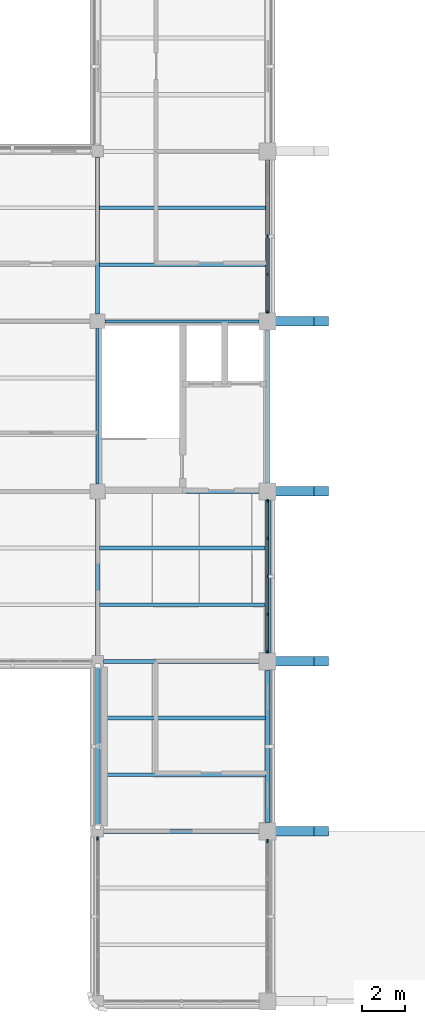
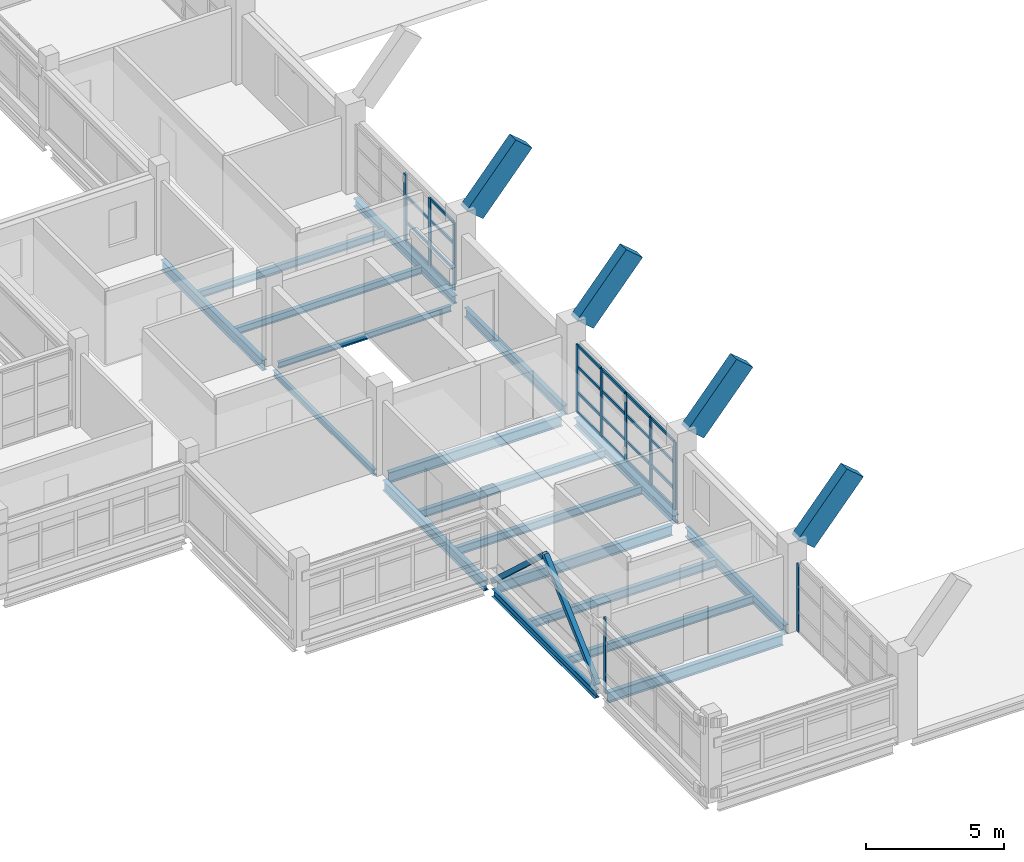
# One storey, part 17 of 92: 35 members, 22 beams, 4 elements without a shape of their own.
"""IFC4 building model written with IfcOpenShell, lengths in metres."""

import ifcopenshell
import ifcopenshell.guid

model = None  # the IFC model being written
_history = None  # IfcOwnerHistory: only IFC2X3 demands one
_inside = {}  # id of a spatial element -> (the spatial element, [elements in it])
_under = {}  # id of a project, library or spatial element -> (it, [spatial elements below it])
_declared = {}  # id of a project -> (the project, [libraries it declares])
_typed = {}  # id of a type object -> (the type object, [elements of that type])
_made_of = {}  # id of a material, layer set ... -> (it, [elements and type objects made of it])


def new_model(schema):
    """Start an empty IFC model of exactly this schema.

    Asked for "IFC4X3", IfcOpenShell would pick the latest addendum, in which some entities
    have other attributes; the version numbers below select the first issue.
    IFC2X3 requires an IfcOwnerHistory on every rooted entity: one is made here for all.
    """
    global model, _history
    if schema == "IFC4X3":
        model = ifcopenshell.file(schema_version=(4, 3, 0, 0))
    else:
        model = ifcopenshell.file(schema=schema)
    _inside.clear()
    _under.clear()
    _declared.clear()
    _typed.clear()
    _made_of.clear()
    _history = None
    if model.schema == "IFC2X3":
        org = make("IfcOrganization", Name="unknown")
        user = make(
            "IfcPersonAndOrganization",
            ThePerson=make("IfcPerson", FamilyName="unknown"),
            TheOrganization=org,
        )
        app = make(
            "IfcApplication",
            ApplicationDeveloper=org,
            Version="unknown",
            ApplicationFullName="unknown",
            ApplicationIdentifier="unknown",
        )
        _history = make(
            "IfcOwnerHistory",
            OwningUser=user,
            OwningApplication=app,
            ChangeAction="ADDED",
            CreationDate=0,
        )
    return model


def make(cls, **values):
    """One entity of the class cls with the attributes given. An attribute that is None is left unset."""
    return model.create_entity(
        cls, **{name: value for name, value in values.items() if value is not None}
    )


def rooted(cls, **values):
    """An entity with a GlobalId (a new one), such as an element, a storey or a relation."""
    return make(cls, GlobalId=ifcopenshell.guid.new(), OwnerHistory=_history, **values)


def si_unit(unit_type, name, prefix=None):
    """IfcSIUnit, for example si_unit("LENGTHUNIT", "METRE", prefix="MILLI")."""
    return make("IfcSIUnit", UnitType=unit_type, Prefix=prefix, Name=name)


def derived_unit(unit_type, elements):
    """IfcDerivedUnit: a product of units, each with its exponent."""
    return make(
        "IfcDerivedUnit",
        Elements=[
            make("IfcDerivedUnitElement", Unit=unit, Exponent=power)
            for unit, power in elements
        ],
        UnitType=unit_type,
    )


def assignment(units):
    """IfcUnitAssignment: the units of a project."""
    return None if units is None else make("IfcUnitAssignment", Units=units)


def point(xyz):
    """IfcCartesianPoint."""
    return None if xyz is None else make("IfcCartesianPoint", Coordinates=xyz)


def direction(xyz):
    """IfcDirection."""
    return None if xyz is None else make("IfcDirection", DirectionRatios=xyz)


def frame(location, z_axis=None, x_axis=None):
    """IfcAxis2Placement3D, a coordinate frame: its origin and axes. An axis left out is left unset."""
    return make(
        "IfcAxis2Placement3D",
        Location=point(location),
        Axis=direction(z_axis),
        RefDirection=direction(x_axis),
    )


def frame_2d(location, x_axis=None):
    """IfcAxis2Placement2D, a coordinate frame in the plane: its origin and x axis."""
    return make(
        "IfcAxis2Placement2D", Location=point(location), RefDirection=direction(x_axis)
    )


def origin():
    """The frame at (0, 0, 0) with its axes left unset."""
    return frame((0.0, 0.0, 0.0))


def origin_2d():
    """The frame at (0, 0) in the plane with its x axis left unset."""
    return frame_2d((0.0, 0.0))


def place(relative_to, where):
    """IfcLocalPlacement: puts the frame where relative to a parent placement (None: the world)."""
    return make(
        "IfcLocalPlacement", PlacementRelTo=relative_to, RelativePlacement=where
    )


def context(
    kind, dimensions, precision=None, world=None, true_north=None, identifier=None
):
    """IfcGeometricRepresentationContext, for example the 3D "Model" context."""
    return make(
        "IfcGeometricRepresentationContext",
        ContextIdentifier=identifier,
        ContextType=kind,
        CoordinateSpaceDimension=dimensions,
        Precision=precision,
        WorldCoordinateSystem=world,
        TrueNorth=true_north,
    )


def subcontext(parent, identifier, kind, view, scale=None):
    """IfcGeometricRepresentationSubContext, for example "Body" below "Model"."""
    return make(
        "IfcGeometricRepresentationSubContext",
        ContextIdentifier=identifier,
        ContextType=kind,
        ParentContext=parent,
        TargetScale=scale,
        TargetView=view,
    )


def project(units=None, contexts=None):
    """IfcProject with its units and contexts."""
    return rooted(
        "IfcProject",
        Name="project",
        RepresentationContexts=contexts,
        UnitsInContext=assignment(units),
    )


def spatial(cls, under=None, at=None, **own):
    """A site, building, storey or space (cls), placed at a placement, below another one or the project."""
    s = rooted(cls, ObjectPlacement=at, **own)
    if under is not None:
        _under.setdefault(under.id(), (under, []))[1].append(s)
    return s


def profile(cls, at=None, kind="AREA", **sizes):
    """A parametric profile (cls). Its sizes go by their IFC names, for example OverallWidth=200.0."""
    return make(cls, ProfileType=kind, Position=at, **sizes)


def rectangle(**sizes):
    """IfcRectangleProfileDef."""
    return profile("IfcRectangleProfileDef", **sizes)


def hollow_rectangle(**sizes):
    """IfcRectangleHollowProfileDef."""
    return profile("IfcRectangleHollowProfileDef", **sizes)


def i_section(**sizes):
    """IfcIShapeProfileDef."""
    return profile("IfcIShapeProfileDef", **sizes)


def extrude(swept, where, along, depth):
    """IfcExtrudedAreaSolid: the profile swept, set in the frame where, extruded along a direction by depth."""
    return make(
        "IfcExtrudedAreaSolid",
        SweptArea=swept,
        Position=where,
        ExtrudedDirection=direction(along),
        Depth=depth,
    )


def shape(context_of_items, identifier, shape_type, items):
    """IfcShapeRepresentation: the items that make up one representation, for example the "Body"."""
    return make(
        "IfcShapeRepresentation",
        ContextOfItems=context_of_items,
        RepresentationIdentifier=identifier,
        RepresentationType=shape_type,
        Items=items,
    )


def material(Name=None, Category=None):
    """IfcMaterial."""
    return make("IfcMaterial", Name=Name, Category=Category)


def layer(
    of_material, thickness, ventilated=None, Name=None, Category=None, Priority=None
):
    """IfcMaterialLayer: one layer of a wall or slab, of a material (None: an air gap)."""
    return make(
        "IfcMaterialLayer",
        Material=of_material,
        LayerThickness=thickness,
        IsVentilated=ventilated,
        Name=Name,
        Category=Category,
        Priority=Priority,
    )


def layer_set(layers, Name=None):
    """IfcMaterialLayerSet."""
    return make("IfcMaterialLayerSet", MaterialLayers=layers, LayerSetName=Name)


def material_profile(
    of_material, cross_section, Name=None, Category=None, Priority=None
):
    """IfcMaterialProfile: a cross section and its material."""
    return make(
        "IfcMaterialProfile",
        Name=Name,
        Material=of_material,
        Profile=cross_section,
        Priority=Priority,
        Category=Category,
    )


def profile_set(profiles, Name=None, composite=None):
    """IfcMaterialProfileSet."""
    return make(
        "IfcMaterialProfileSet",
        Name=Name,
        MaterialProfiles=profiles,
        CompositeProfile=composite,
    )


def made_of(thing, what):
    """Note that an element or type object is made of a material, layer set ...; save() writes the relation."""
    if what is not None:
        _made_of.setdefault(what.id(), (what, []))[1].append(thing)
    return thing


def type_object(cls, material=None, **own):
    """A type object (cls), such as IfcWallType, which elements share."""
    return made_of(rooted(cls, **own), material)


def element(
    cls,
    number,
    at=None,
    inside=None,
    cuts=None,
    type_object=None,
    material=None,
    context=None,
    identifier="Body",
    shape_type=None,
    held_by="IfcProductDefinitionShape",
    body=None,
    shapes=None,
    **own,
):
    """One element of the class cls, such as IfcWall. Its Tag is "e" and its number.

    at: its placement. inside: the storey or other place that contains it. cuts: it is an
    opening in that element (IfcRelVoidsElement). A single representation is given by context,
    identifier, shape_type and body (its items); several are given by shapes. held_by: the class
    of the entity that holds the representations. save() writes the other relations.
    """
    e = rooted(cls, Tag="e%d" % number, ObjectPlacement=at, **own)
    if body is not None:
        shapes = [shape(context, identifier, shape_type, body)]
    if shapes is not None:
        e.Representation = make(held_by, Representations=shapes)
    if inside is not None:
        _inside.setdefault(inside.id(), (inside, []))[1].append(e)
    if cuts is not None:
        rooted(
            "IfcRelVoidsElement", RelatingBuildingElement=cuts, RelatedOpeningElement=e
        )
    if type_object is not None:
        _typed.setdefault(type_object.id(), (type_object, []))[1].append(e)
    return made_of(e, material)


def aggregate(whole, parts):
    """IfcRelAggregates: a whole, such as a stair, and the parts it consists of."""
    return rooted("IfcRelAggregates", RelatingObject=whole, RelatedObjects=parts)


def save(model, path):
    """Write the relations noted so far, then the file.

    IfcRelAggregates (storeys below a building ...), IfcRelContainedInSpatialStructure (elements
    in a storey), IfcRelDefinesByType, IfcRelAssociatesMaterial and IfcRelDeclares: one each for
    every whole, place, type object, material and project.
    """
    for whole, parts in _under.values():
        aggregate(whole, parts)
    for where, things in _inside.values():
        rooted(
            "IfcRelContainedInSpatialStructure",
            RelatedElements=things,
            RelatingStructure=where,
        )
    for kind, things in _typed.values():
        rooted("IfcRelDefinesByType", RelatedObjects=things, RelatingType=kind)
    for what, things in _made_of.values():
        rooted("IfcRelAssociatesMaterial", RelatedObjects=things, RelatingMaterial=what)
    for by, libraries in _declared.values():
        rooted("IfcRelDeclares", RelatingContext=by, RelatedDefinitions=libraries)
    model.write(path)


model = new_model("IFC4")

# Units and contexts
model_context = context("Model", 3, precision=1e-05, world=origin(), true_north=direction((0.0, 1.0)))
body_context = subcontext(model_context, "Body", "Model", "MODEL_VIEW")
ifc_project = project(units=[si_unit("LENGTHUNIT", "METRE"), si_unit("AREAUNIT", "SQUARE_METRE"), si_unit("VOLUMEUNIT", "CUBIC_METRE"), si_unit("PLANEANGLEUNIT", "RADIAN"), si_unit("MASSUNIT", "GRAM", prefix="KILO"), derived_unit("THERMALTRANSMITTANCEUNIT", [(si_unit("MASSUNIT", "GRAM", prefix="KILO"), 1), (si_unit("TIMEUNIT", "SECOND"), -3), (si_unit("THERMODYNAMICTEMPERATUREUNIT", "KELVIN"), -1)])], contexts=[model_context])

# Site, building, storey
site_placement = place(None, origin())
site = spatial("IfcSite", under=ifc_project, at=site_placement, CompositionType="ELEMENT")
building_placement = place(site_placement, origin())
building = spatial("IfcBuilding", under=site, at=building_placement, Name="Veyamyaing Civic Hall", CompositionType="ELEMENT")
storey_placement = place(building_placement, frame((0.0, 0.0, 17.820068359375)))
storey = spatial("IfcBuildingStorey", under=building, at=storey_placement, Name="L04", CompositionType="ELEMENT", Elevation=17.820068359375)

# Beams
ifc_material_1 = material(Name="Steel ASTM A992", Category="steel")
ifc_material_profile_1 = material_profile(ifc_material_1, i_section(OverallWidth=0.19189453125, OverallDepth=0.462890625, WebThickness=0.010498046875, FlangeThickness=0.017578125, FilletRadius=0.010009765625, at=origin_2d()), Name="W460X89")
ifc_profile_set_1 = profile_set([ifc_material_profile_1], Name="Steel ASTM A992")
beam_type_1 = type_object("IfcBeamType", Name="B-08", PredefinedType="BEAM", material=ifc_profile_set_1)
beam_1_placement = place(storey_placement, frame((64.27490234375, 32.0, -0.466552734375), z_axis=(1.0, 0.0, 0.0), x_axis=(0.0, 1.0, 0.0)))
element("IfcBeam", 1, at=beam_1_placement, inside=storey, type_object=beam_type_1, Name="Girder B-08 L04 Grid E 9-10", PredefinedType="BEAM", context=body_context, shape_type="SweptSolid", body=[
    extrude(i_section(OverallWidth=0.19189453125, OverallDepth=0.462890625, WebThickness=0.010498046875, FlangeThickness=0.017578125, FilletRadius=0.010009765625, at=origin_2d()), origin(), (0.0, 0.0, 1.0), 7.3251953125),
])
beam_2_placement = place(storey_placement, frame((64.0, 56.35009765625, -0.466552734375), z_axis=(0.0, 1.0, 0.0), x_axis=(-1.0, 0.0, 0.0)))
element("IfcBeam", 2, at=beam_2_placement, inside=storey, type_object=beam_type_1, Name="Girder B-08 L04 Grid 9 H-J", PredefinedType="BEAM", context=body_context, shape_type="SweptSolid", body=[
    extrude(i_section(OverallWidth=0.19189453125, OverallDepth=0.462890625, WebThickness=0.010498046875, FlangeThickness=0.017578125, FilletRadius=0.010009765625, at=origin_2d()), origin(), (0.0, 0.0, 1.0), 7.375),
])
ifc_material_profile_2 = material_profile(ifc_material_1, i_section(OverallWidth=0.18994140625, OverallDepth=0.45703125, WebThickness=0.009033203125, FlangeThickness=0.014404296875, FilletRadius=0.010009765625, at=origin_2d()), Name="W460X74")
ifc_profile_set_2 = profile_set([ifc_material_profile_2], Name="Steel ASTM A992")
beam_type_2 = type_object("IfcBeamType", Name="B-09", PredefinedType="BEAM", material=ifc_profile_set_2)
beam_3_placement = place(storey_placement, frame((64.27490234375, 40.0, -0.463623046875), z_axis=(1.0, 0.0, 0.0), x_axis=(0.0, 1.0, 0.0)))
element("IfcBeam", 3, at=beam_3_placement, inside=storey, type_object=beam_type_2, Name="Girder B-09 L04 Grid F 9-10", PredefinedType="BEAM", context=body_context, shape_type="SweptSolid", body=[
    extrude(i_section(OverallWidth=0.18994140625, OverallDepth=0.45703125, WebThickness=0.009033203125, FlangeThickness=0.014404296875, FilletRadius=0.010009765625, at=origin_2d()), origin(), (0.0, 0.0, 1.0), 7.3251953125),
])
beam_4_placement = place(storey_placement, frame((64.0, 40.27490234375, -0.463623046875), z_axis=(0.0, 1.0, 0.0), x_axis=(-1.0, 0.0, 0.0)))
element("IfcBeam", 4, at=beam_4_placement, inside=storey, type_object=beam_type_2, Name="Girder B-09 L04 Grid 9 F-G", PredefinedType="BEAM", context=body_context, shape_type="SweptSolid", body=[
    extrude(i_section(OverallWidth=0.18994140625, OverallDepth=0.45703125, WebThickness=0.009033203125, FlangeThickness=0.014404296875, FilletRadius=0.010009765625, at=origin_2d()), origin(), (0.0, 0.0, 1.0), 7.375),
])
ifc_material_profile_3 = material_profile(ifc_material_1, i_section(OverallWidth=0.179931640625, OverallDepth=0.4130859375, WebThickness=0.009765625, FlangeThickness=0.01611328125, FilletRadius=0.010009765625, at=origin_2d()), Name="W410X74")
ifc_profile_set_3 = profile_set([ifc_material_profile_3], Name="Steel ASTM A992")
beam_type_3 = type_object("IfcBeamType", Name="B-10", PredefinedType="SPANDREL", material=ifc_profile_set_3)
beam_5_placement = place(storey_placement, frame((72.0, 48.39990234375, -0.441650390625), z_axis=(0.0, 1.0, 0.0), x_axis=(-1.0, 0.0, 0.0)))
element("IfcBeam", 5, at=beam_5_placement, inside=storey, type_object=beam_type_3, Name="Girder B-10 L04 Grid 10 G-H", PredefinedType="SPANDREL", context=body_context, shape_type="SweptSolid", body=[
    extrude(i_section(OverallWidth=0.179931640625, OverallDepth=0.4130859375, WebThickness=0.009765625, FlangeThickness=0.01611328125, FilletRadius=0.010009765625, at=origin_2d()), origin(), (0.0, 0.0, 1.0), 7.2001953125),
])
ifc_material_profile_4 = material_profile(ifc_material_1, i_section(OverallWidth=0.2041015625, OverallDepth=0.35009765625, WebThickness=0.0078125, FlangeThickness=0.01513671875, FilletRadius=0.010009765625, at=origin_2d()), Name="W360X72")
ifc_profile_set_4 = profile_set([ifc_material_profile_4], Name="Steel ASTM A992")
beam_type_4 = type_object("IfcBeamType", Name="B-11", PredefinedType="SPANDREL", material=ifc_profile_set_4)
beam_6_placement = place(storey_placement, frame((64.0, 32.27490234375, -0.41015625), z_axis=(0.0, 1.0, 0.0), x_axis=(-1.0, 0.0, 0.0)))
element("IfcBeam", 6, at=beam_6_placement, inside=storey, type_object=beam_type_4, Name="Girder B-11 L04 Grid 9 E-F", PredefinedType="SPANDREL", context=body_context, shape_type="SweptSolid", body=[
    extrude(i_section(OverallWidth=0.2041015625, OverallDepth=0.35009765625, WebThickness=0.0078125, FlangeThickness=0.01513671875, FilletRadius=0.010009765625, at=origin_2d()), origin(), (0.0, 0.0, 1.0), 7.4501953125),
])
beam_7_placement = place(storey_placement, frame((72.0, 56.39990234375, -0.41015625), z_axis=(0.0, 1.0, 0.0), x_axis=(-1.0, 0.0, 0.0)))
element("IfcBeam", 7, at=beam_7_placement, inside=storey, type_object=beam_type_4, Name="Girder B-11 L04 Grid 10 H-J", PredefinedType="SPANDREL", context=body_context, shape_type="SweptSolid", body=[
    extrude(i_section(OverallWidth=0.2041015625, OverallDepth=0.35009765625, WebThickness=0.0078125, FlangeThickness=0.01513671875, FilletRadius=0.010009765625, at=origin_2d()), origin(), (0.0, 0.0, 1.0), 7.2001953125),
])
ifc_material_profile_5 = material_profile(ifc_material_1, i_section(OverallWidth=0.14599609375, OverallDepth=0.258056640625, WebThickness=0.006103515625, FlangeThickness=0.009033203125, FilletRadius=0.010009765625, at=origin_2d()), Name="W250X33")
ifc_profile_set_5 = profile_set([ifc_material_profile_5], Name="Steel ASTM A992")
beam_type_5 = type_object("IfcBeamType", Name="B-12", PredefinedType="BEAM", material=ifc_profile_set_5)
beam_8_placement = place(storey_placement, frame((64.35009765625, 56.0, -0.364013671875), z_axis=(1.0, 0.0, 0.0), x_axis=(0.0, 1.0, 0.0)))
element("IfcBeam", 8, at=beam_8_placement, inside=storey, type_object=beam_type_5, Name="Girder B-12 L04 Grid H 9-10", PredefinedType="BEAM", context=body_context, shape_type="SweptSolid", body=[
    extrude(i_section(OverallWidth=0.14599609375, OverallDepth=0.258056640625, WebThickness=0.006103515625, FlangeThickness=0.009033203125, FilletRadius=0.010009765625, at=origin_2d()), origin(), (0.0, 0.0, 1.0), 7.25),
])
beam_9_placement = place(storey_placement, frame((64.0, 48.35009765625, -0.364013671875), z_axis=(0.0, 1.0, 0.0), x_axis=(-1.0, 0.0, 0.0)))
element("IfcBeam", 9, at=beam_9_placement, inside=storey, type_object=beam_type_5, Name="Girder B-12 L04 Grid 9 G-H", PredefinedType="BEAM", context=body_context, shape_type="SweptSolid", body=[
    extrude(i_section(OverallWidth=0.14599609375, OverallDepth=0.258056640625, WebThickness=0.006103515625, FlangeThickness=0.009033203125, FilletRadius=0.010009765625, at=origin_2d()), origin(), (0.0, 0.0, 1.0), 7.2998046875),
])
ifc_material_profile_6 = material_profile(ifc_material_1, i_section(OverallWidth=0.194091796875, OverallDepth=0.468994140625, WebThickness=0.0126953125, FlangeThickness=0.0205078125, FilletRadius=0.010009765625, at=origin_2d()), Name="W460X106")
ifc_profile_set_6 = profile_set([ifc_material_profile_6], Name="Steel ASTM A992")
beam_type_6 = type_object("IfcBeamType", Name="B-18", PredefinedType="BEAM", material=ifc_profile_set_6)
beam_10_placement = place(storey_placement, frame((64.35009765625, 48.0, -0.469482421875), z_axis=(1.0, 0.0, 0.0), x_axis=(0.0, 1.0, 0.0)))
element("IfcBeam", 10, at=beam_10_placement, inside=storey, type_object=beam_type_6, Name="Girder B-18 L04 Grid G 9-10", PredefinedType="BEAM", context=body_context, shape_type="SweptSolid", body=[
    extrude(i_section(OverallWidth=0.194091796875, OverallDepth=0.468994140625, WebThickness=0.0126953125, FlangeThickness=0.0205078125, FilletRadius=0.010009765625, at=origin_2d()), origin(), (0.0, 0.0, 1.0), 7.25),
])
ifc_material_profile_7 = material_profile(ifc_material_1, i_section(OverallWidth=0.180908203125, OverallDepth=0.4169921875, WebThickness=0.010986328125, FlangeThickness=0.018310546875, FilletRadius=0.010009765625, at=origin_2d()), Name="W410X85")
ifc_profile_set_7 = profile_set([ifc_material_profile_7], Name="Steel ASTM A992")
beam_type_7 = type_object("IfcBeamType", Name="B-19", PredefinedType="SPANDREL", material=ifc_profile_set_7)
beam_11_placement = place(storey_placement, frame((72.0, 32.39990234375, -0.443603515625), z_axis=(0.0, 1.0, 0.0), x_axis=(-1.0, 0.0, 0.0)))
element("IfcBeam", 11, at=beam_11_placement, inside=storey, type_object=beam_type_7, Name="Girder B-19 L04 Grid 10 E-F", PredefinedType="SPANDREL", context=body_context, shape_type="SweptSolid", body=[
    extrude(i_section(OverallWidth=0.180908203125, OverallDepth=0.4169921875, WebThickness=0.010986328125, FlangeThickness=0.018310546875, FilletRadius=0.010009765625, at=origin_2d()), origin(), (0.0, 0.0, 1.0), 7.2001953125),
])
ifc_material_profile_8 = material_profile(ifc_material_1, i_section(OverallWidth=0.25390625, OverallDepth=0.35302734375, WebThickness=0.009521484375, FlangeThickness=0.016357421875, FilletRadius=0.011962890625, at=origin_2d()), Name="W360X91")
ifc_profile_set_8 = profile_set([ifc_material_profile_8], Name="Steel ASTM A992")
beam_type_8 = type_object("IfcBeamType", Name="B-20", PredefinedType="SPANDREL", material=ifc_profile_set_8)
beam_12_placement = place(storey_placement, frame((72.0, 40.39990234375, -0.41162109375), z_axis=(0.0, 1.0, 0.0), x_axis=(-1.0, 0.0, 0.0)))
element("IfcBeam", 12, at=beam_12_placement, inside=storey, type_object=beam_type_8, Name="Girder B-20 L04 Grid 10 F-G", PredefinedType="SPANDREL", context=body_context, shape_type="SweptSolid", body=[
    extrude(i_section(OverallWidth=0.25390625, OverallDepth=0.35302734375, WebThickness=0.009521484375, FlangeThickness=0.016357421875, FilletRadius=0.011962890625, at=origin_2d()), origin(), (0.0, 0.0, 1.0), 7.2001953125),
])

# Members
ifc_material_2 = material(Name="Steel S355J2", Category="steel")
ifc_material_profile_9 = material_profile(ifc_material_2, hollow_rectangle(XDim=0.202880859375, YDim=0.202880859375, WallThickness=0.0126953125, at=origin_2d()), Name="HSS203X203X12.7")
ifc_profile_set_9 = profile_set([ifc_material_profile_9], Name="Steel S355J2")
member_type_1 = type_object("IfcMemberType", Name="BR-02", PredefinedType="BRACE", material=ifc_profile_set_9)
for number, where, z_axis, x_axis, name in (
    (13, (64.0, 32.219970703125, 0.050048828125), (0.0, 0.737646368513, 0.675187259224), (-1.0, 0.0, 0.0), "Seismic chevron brace BR-02 BF-CW L04.L"),
    (14, (64.0, 39.780029296875, 0.050048828125), (0.0, -0.737646368513, 0.675187259224), (1.0, 0.0, 0.0), "Seismic chevron brace BR-02 BF-CW L04.R"),
):
    element("IfcMember", number, at=place(storey_placement, frame(where, z_axis=z_axis, x_axis=x_axis)), inside=storey, type_object=member_type_1, Name=name, PredefinedType="BRACE", context=body_context, shape_type="SweptSolid", body=[
        extrude(hollow_rectangle(XDim=0.202880859375, YDim=0.202880859375, WallThickness=0.0126953125, at=origin_2d()), origin(), (0.0, 0.0, 1.0), 5.12451171875),
    ])

# Curtain wall, member
ifc_material_3 = material(Name="Anodised aluminium 6063-T6", Category="aluminium")
ifc_layer = layer(ifc_material_3, 0.159912109375, Name="Anodised aluminium 6063-T6")
ifc_layer_set = layer_set([ifc_layer], Name="Anodised aluminium 6063-T6")
curtain_wall_type = type_object("IfcCurtainWallType", Name="CW-08", PredefinedType="NOTDEFINED", material=ifc_layer_set)
curtain_wall_1_placement = place(storey_placement, origin())
curtain_wall_1 = element("IfcCurtainWall", 15, at=curtain_wall_1_placement, inside=storey, type_object=curtain_wall_type, Name="Unitized curtain wall CW-08 L04 W 9.4", PredefinedType="NOTDEFINED")
ifc_material_profile_10 = material_profile(ifc_material_3, rectangle(XDim=0.06494140625, YDim=0.159912109375, at=origin_2d()), Name="ALU-MUL-65X160")
ifc_profile_set_10 = profile_set([ifc_material_profile_10], Name="Anodised aluminium 6063-T6")
member_type_2 = type_object("IfcMemberType", Name="CWM-01", PredefinedType="MULLION", material=ifc_profile_set_10)
member_1_placement = place(storey_placement, frame((64.0, 31.66259765625, 0.0), z_axis=(0.0, 0.0, 1.0), x_axis=(-1.0, 0.0, 0.0)))
member_1 = element("IfcMember", 16, at=member_1_placement, type_object=member_type_2, Name="CW-08 mullion 5", PredefinedType="MULLION", context=body_context, shape_type="SweptSolid", body=[
    extrude(rectangle(XDim=0.06494140625, YDim=0.159912109375, at=origin_2d()), origin(), (0.0, 0.0, 1.0), 3.35205078125),
])
aggregate(curtain_wall_1, [member_1])

curtain_wall_2_placement = place(storey_placement, origin())
curtain_wall_2 = element("IfcCurtainWall", 17, at=curtain_wall_2_placement, inside=storey, type_object=curtain_wall_type, Name="Unitized curtain wall CW-08 L04 E 9.4", PredefinedType="NOTDEFINED")
member_2_placement = place(storey_placement, frame((72.0, 31.53759765625, 0.0), z_axis=(0.0, 0.0, 1.0), x_axis=(-1.0, 0.0, 0.0)))
member_2 = element("IfcMember", 18, at=member_2_placement, type_object=member_type_2, Name="CW-08 mullion 5", PredefinedType="MULLION", context=body_context, shape_type="SweptSolid", body=[
    extrude(rectangle(XDim=0.06494140625, YDim=0.159912109375, at=origin_2d()), origin(), (0.0, 0.0, 1.0), 3.001953125),
])
aggregate(curtain_wall_2, [member_2])

# Curtain wall, members
curtain_wall_3_placement = place(storey_placement, origin())
curtain_wall_3 = element("IfcCurtainWall", 19, at=curtain_wall_3_placement, inside=storey, type_object=curtain_wall_type, Name="Unitized curtain wall CW-08 L04 E 9.6", PredefinedType="NOTDEFINED")
member_3_placement = place(storey_placement, frame((72.0, 40.46240234375, 0.0), z_axis=(0.0, 0.0, 1.0), x_axis=(-1.0, 0.0, 0.0)))
member_3 = element("IfcMember", 20, at=member_3_placement, type_object=member_type_2, Name="CW-08 mullion 1", PredefinedType="MULLION", context=body_context, shape_type="SweptSolid", body=[
    extrude(rectangle(XDim=0.06494140625, YDim=0.159912109375, at=origin_2d()), origin(), (0.0, 0.0, 1.0), 3.001953125),
])
member_4_placement = place(storey_placement, frame((72.0, 42.215087890625, 0.0), z_axis=(0.0, 0.0, 1.0), x_axis=(-1.0, 0.0, 0.0)))
member_4 = element("IfcMember", 21, at=member_4_placement, type_object=member_type_2, Name="CW-08 mullion 2", PredefinedType="MULLION", context=body_context, shape_type="SweptSolid", body=[
    extrude(rectangle(XDim=0.06494140625, YDim=0.159912109375, at=origin_2d()), origin(), (0.0, 0.0, 1.0), 3.001953125),
])
member_5_placement = place(storey_placement, frame((72.0, 44.0, 0.0), z_axis=(0.0, 0.0, 1.0), x_axis=(-1.0, 0.0, 0.0)))
member_5 = element("IfcMember", 22, at=member_5_placement, type_object=member_type_2, Name="CW-08 mullion 3", PredefinedType="MULLION", context=body_context, shape_type="SweptSolid", body=[
    extrude(rectangle(XDim=0.06494140625, YDim=0.159912109375, at=origin_2d()), origin(), (0.0, 0.0, 1.0), 3.001953125),
])
member_6_placement = place(storey_placement, frame((72.0, 45.784912109375, 0.0), z_axis=(0.0, 0.0, 1.0), x_axis=(-1.0, 0.0, 0.0)))
member_6 = element("IfcMember", 23, at=member_6_placement, type_object=member_type_2, Name="CW-08 mullion 4", PredefinedType="MULLION", context=body_context, shape_type="SweptSolid", body=[
    extrude(rectangle(XDim=0.06494140625, YDim=0.159912109375, at=origin_2d()), origin(), (0.0, 0.0, 1.0), 3.001953125),
])
member_7_placement = place(storey_placement, frame((72.0, 47.53759765625, 0.0), z_axis=(0.0, 0.0, 1.0), x_axis=(-1.0, 0.0, 0.0)))
member_7 = element("IfcMember", 24, at=member_7_placement, type_object=member_type_2, Name="CW-08 mullion 5", PredefinedType="MULLION", context=body_context, shape_type="SweptSolid", body=[
    extrude(rectangle(XDim=0.06494140625, YDim=0.159912109375, at=origin_2d()), origin(), (0.0, 0.0, 1.0), 3.001953125),
])

curtain_wall_4_placement = place(storey_placement, origin())
curtain_wall_4 = element("IfcCurtainWall", 25, at=curtain_wall_4_placement, inside=storey, type_object=curtain_wall_type, Name="Unitized curtain wall CW-08 L04 E 9.8", PredefinedType="NOTDEFINED")
member_8_placement = place(storey_placement, frame((72.0, 56.46240234375, 0.0), z_axis=(0.0, 0.0, 1.0), x_axis=(-1.0, 0.0, 0.0)))
member_8 = element("IfcMember", 26, at=member_8_placement, type_object=member_type_2, Name="CW-08 mullion 1", PredefinedType="MULLION", context=body_context, shape_type="SweptSolid", body=[
    extrude(rectangle(XDim=0.06494140625, YDim=0.159912109375, at=origin_2d()), origin(), (0.0, 0.0, 1.0), 3.001953125),
])
member_9_placement = place(storey_placement, frame((72.0, 58.215087890625, 0.0), z_axis=(0.0, 0.0, 1.0), x_axis=(-1.0, 0.0, 0.0)))
member_9 = element("IfcMember", 27, at=member_9_placement, type_object=member_type_2, Name="CW-08 mullion 2", PredefinedType="MULLION", context=body_context, shape_type="SweptSolid", body=[
    extrude(rectangle(XDim=0.06494140625, YDim=0.159912109375, at=origin_2d()), origin(), (0.0, 0.0, 1.0), 3.001953125),
])
member_10_placement = place(storey_placement, frame((72.0, 60.0, 0.0), z_axis=(0.0, 0.0, 1.0), x_axis=(-1.0, 0.0, 0.0)))
member_10 = element("IfcMember", 28, at=member_10_placement, type_object=member_type_2, Name="CW-08 mullion 3", PredefinedType="MULLION", context=body_context, shape_type="SweptSolid", body=[
    extrude(rectangle(XDim=0.06494140625, YDim=0.159912109375, at=origin_2d()), origin(), (0.0, 0.0, 1.0), 3.001953125),
])

# Member
ifc_material_profile_11 = material_profile(ifc_material_3, rectangle(XDim=0.06494140625, YDim=0.1201171875, at=origin_2d()), Name="ALU-TRN-65X120")
ifc_profile_set_11 = profile_set([ifc_material_profile_11], Name="Anodised aluminium 6063-T6")
member_type_3 = type_object("IfcMemberType", Name="CWT-01", PredefinedType="USERDEFINED", material=ifc_profile_set_11)
member_11_placement = place(storey_placement, frame((72.0, 40.4951171875, 0.032470703125), z_axis=(0.0, 1.0, 0.0), x_axis=(-1.0, 0.0, 0.0)))
member_11 = element("IfcMember", 29, at=member_11_placement, type_object=member_type_3, Name="CW-08 transom 1.1", ObjectType="TRANSOM", PredefinedType="USERDEFINED", context=body_context, shape_type="SweptSolid", body=[
    extrude(rectangle(XDim=0.06494140625, YDim=0.1201171875, at=origin_2d()), origin(), (0.0, 0.0, 1.0), 1.6875),
])

member_12_placement = place(storey_placement, frame((72.0, 40.4951171875, 0.89990234375), z_axis=(0.0, 1.0, 0.0), x_axis=(-1.0, 0.0, 0.0)))
member_12 = element("IfcMember", 30, at=member_12_placement, type_object=member_type_3, Name="CW-08 transom 1.2", ObjectType="TRANSOM", PredefinedType="USERDEFINED", context=body_context, shape_type="SweptSolid", body=[
    extrude(rectangle(XDim=0.06494140625, YDim=0.1201171875, at=origin_2d()), origin(), (0.0, 0.0, 1.0), 1.6875),
])

member_13_placement = place(storey_placement, frame((72.0, 40.4951171875, 2.041259765625), z_axis=(0.0, 1.0, 0.0), x_axis=(-1.0, 0.0, 0.0)))
member_13 = element("IfcMember", 31, at=member_13_placement, type_object=member_type_3, Name="CW-08 transom 1.3", ObjectType="TRANSOM", PredefinedType="USERDEFINED", context=body_context, shape_type="SweptSolid", body=[
    extrude(rectangle(XDim=0.06494140625, YDim=0.1201171875, at=origin_2d()), origin(), (0.0, 0.0, 1.0), 1.6875),
])

member_14_placement = place(storey_placement, frame((72.0, 40.4951171875, 2.969482421875), z_axis=(0.0, 1.0, 0.0), x_axis=(-1.0, 0.0, 0.0)))
member_14 = element("IfcMember", 32, at=member_14_placement, type_object=member_type_3, Name="CW-08 transom 1.4", ObjectType="TRANSOM", PredefinedType="USERDEFINED", context=body_context, shape_type="SweptSolid", body=[
    extrude(rectangle(XDim=0.06494140625, YDim=0.1201171875, at=origin_2d()), origin(), (0.0, 0.0, 1.0), 1.6875),
])

member_15_placement = place(storey_placement, frame((72.0, 42.24755859375, 0.032470703125), z_axis=(0.0, 1.0, 0.0), x_axis=(-1.0, 0.0, 0.0)))
member_15 = element("IfcMember", 33, at=member_15_placement, type_object=member_type_3, Name="CW-08 transom 2.1", ObjectType="TRANSOM", PredefinedType="USERDEFINED", context=body_context, shape_type="SweptSolid", body=[
    extrude(rectangle(XDim=0.06494140625, YDim=0.1201171875, at=origin_2d()), origin(), (0.0, 0.0, 1.0), 1.719970703125),
])

member_16_placement = place(storey_placement, frame((72.0, 42.24755859375, 0.89990234375), z_axis=(0.0, 1.0, 0.0), x_axis=(-1.0, 0.0, 0.0)))
member_16 = element("IfcMember", 34, at=member_16_placement, type_object=member_type_3, Name="CW-08 transom 2.2", ObjectType="TRANSOM", PredefinedType="USERDEFINED", context=body_context, shape_type="SweptSolid", body=[
    extrude(rectangle(XDim=0.06494140625, YDim=0.1201171875, at=origin_2d()), origin(), (0.0, 0.0, 1.0), 1.719970703125),
])

member_17_placement = place(storey_placement, frame((72.0, 42.24755859375, 2.041259765625), z_axis=(0.0, 1.0, 0.0), x_axis=(-1.0, 0.0, 0.0)))
member_17 = element("IfcMember", 35, at=member_17_placement, type_object=member_type_3, Name="CW-08 transom 2.3", ObjectType="TRANSOM", PredefinedType="USERDEFINED", context=body_context, shape_type="SweptSolid", body=[
    extrude(rectangle(XDim=0.06494140625, YDim=0.1201171875, at=origin_2d()), origin(), (0.0, 0.0, 1.0), 1.719970703125),
])

member_18_placement = place(storey_placement, frame((72.0, 42.24755859375, 2.969482421875), z_axis=(0.0, 1.0, 0.0), x_axis=(-1.0, 0.0, 0.0)))
member_18 = element("IfcMember", 36, at=member_18_placement, type_object=member_type_3, Name="CW-08 transom 2.4", ObjectType="TRANSOM", PredefinedType="USERDEFINED", context=body_context, shape_type="SweptSolid", body=[
    extrude(rectangle(XDim=0.06494140625, YDim=0.1201171875, at=origin_2d()), origin(), (0.0, 0.0, 1.0), 1.719970703125),
])

member_19_placement = place(storey_placement, frame((72.0, 44.032470703125, 0.032470703125), z_axis=(0.0, 1.0, 0.0), x_axis=(-1.0, 0.0, 0.0)))
member_19 = element("IfcMember", 37, at=member_19_placement, type_object=member_type_3, Name="CW-08 transom 3.1", ObjectType="TRANSOM", PredefinedType="USERDEFINED", context=body_context, shape_type="SweptSolid", body=[
    extrude(rectangle(XDim=0.06494140625, YDim=0.1201171875, at=origin_2d()), origin(), (0.0, 0.0, 1.0), 1.719970703125),
])

member_20_placement = place(storey_placement, frame((72.0, 44.032470703125, 0.89990234375), z_axis=(0.0, 1.0, 0.0), x_axis=(-1.0, 0.0, 0.0)))
member_20 = element("IfcMember", 38, at=member_20_placement, type_object=member_type_3, Name="CW-08 transom 3.2", ObjectType="TRANSOM", PredefinedType="USERDEFINED", context=body_context, shape_type="SweptSolid", body=[
    extrude(rectangle(XDim=0.06494140625, YDim=0.1201171875, at=origin_2d()), origin(), (0.0, 0.0, 1.0), 1.719970703125),
])

member_21_placement = place(storey_placement, frame((72.0, 44.032470703125, 2.041259765625), z_axis=(0.0, 1.0, 0.0), x_axis=(-1.0, 0.0, 0.0)))
member_21 = element("IfcMember", 39, at=member_21_placement, type_object=member_type_3, Name="CW-08 transom 3.3", ObjectType="TRANSOM", PredefinedType="USERDEFINED", context=body_context, shape_type="SweptSolid", body=[
    extrude(rectangle(XDim=0.06494140625, YDim=0.1201171875, at=origin_2d()), origin(), (0.0, 0.0, 1.0), 1.719970703125),
])

member_22_placement = place(storey_placement, frame((72.0, 44.032470703125, 2.969482421875), z_axis=(0.0, 1.0, 0.0), x_axis=(-1.0, 0.0, 0.0)))
member_22 = element("IfcMember", 40, at=member_22_placement, type_object=member_type_3, Name="CW-08 transom 3.4", ObjectType="TRANSOM", PredefinedType="USERDEFINED", context=body_context, shape_type="SweptSolid", body=[
    extrude(rectangle(XDim=0.06494140625, YDim=0.1201171875, at=origin_2d()), origin(), (0.0, 0.0, 1.0), 1.719970703125),
])

member_23_placement = place(storey_placement, frame((72.0, 45.8173828125, 0.032470703125), z_axis=(0.0, 1.0, 0.0), x_axis=(-1.0, 0.0, 0.0)))
member_23 = element("IfcMember", 41, at=member_23_placement, type_object=member_type_3, Name="CW-08 transom 4.1", ObjectType="TRANSOM", PredefinedType="USERDEFINED", context=body_context, shape_type="SweptSolid", body=[
    extrude(rectangle(XDim=0.06494140625, YDim=0.1201171875, at=origin_2d()), origin(), (0.0, 0.0, 1.0), 1.6875),
])

member_24_placement = place(storey_placement, frame((72.0, 45.8173828125, 0.89990234375), z_axis=(0.0, 1.0, 0.0), x_axis=(-1.0, 0.0, 0.0)))
member_24 = element("IfcMember", 42, at=member_24_placement, type_object=member_type_3, Name="CW-08 transom 4.2", ObjectType="TRANSOM", PredefinedType="USERDEFINED", context=body_context, shape_type="SweptSolid", body=[
    extrude(rectangle(XDim=0.06494140625, YDim=0.1201171875, at=origin_2d()), origin(), (0.0, 0.0, 1.0), 1.6875),
])

member_25_placement = place(storey_placement, frame((72.0, 45.8173828125, 2.041259765625), z_axis=(0.0, 1.0, 0.0), x_axis=(-1.0, 0.0, 0.0)))
member_25 = element("IfcMember", 43, at=member_25_placement, type_object=member_type_3, Name="CW-08 transom 4.3", ObjectType="TRANSOM", PredefinedType="USERDEFINED", context=body_context, shape_type="SweptSolid", body=[
    extrude(rectangle(XDim=0.06494140625, YDim=0.1201171875, at=origin_2d()), origin(), (0.0, 0.0, 1.0), 1.6875),
])

member_26_placement = place(storey_placement, frame((72.0, 45.8173828125, 2.969482421875), z_axis=(0.0, 1.0, 0.0), x_axis=(-1.0, 0.0, 0.0)))
member_26 = element("IfcMember", 44, at=member_26_placement, type_object=member_type_3, Name="CW-08 transom 4.4", ObjectType="TRANSOM", PredefinedType="USERDEFINED", context=body_context, shape_type="SweptSolid", body=[
    extrude(rectangle(XDim=0.06494140625, YDim=0.1201171875, at=origin_2d()), origin(), (0.0, 0.0, 1.0), 1.6875),
])

aggregate(curtain_wall_3, [member_3, member_4, member_5, member_6, member_7, member_11, member_12, member_13, member_14, member_15, member_16, member_17, member_18, member_19, member_20, member_21, member_22, member_23, member_24, member_25, member_26])

member_27_placement = place(storey_placement, frame((72.0, 56.4951171875, 0.032470703125), z_axis=(0.0, 1.0, 0.0), x_axis=(-1.0, 0.0, 0.0)))
member_27 = element("IfcMember", 45, at=member_27_placement, type_object=member_type_3, Name="CW-08 transom 1.1", ObjectType="TRANSOM", PredefinedType="USERDEFINED", context=body_context, shape_type="SweptSolid", body=[
    extrude(rectangle(XDim=0.06494140625, YDim=0.1201171875, at=origin_2d()), origin(), (0.0, 0.0, 1.0), 1.6875),
])

member_28_placement = place(storey_placement, frame((72.0, 56.4951171875, 0.89990234375), z_axis=(0.0, 1.0, 0.0), x_axis=(-1.0, 0.0, 0.0)))
member_28 = element("IfcMember", 46, at=member_28_placement, type_object=member_type_3, Name="CW-08 transom 1.2", ObjectType="TRANSOM", PredefinedType="USERDEFINED", context=body_context, shape_type="SweptSolid", body=[
    extrude(rectangle(XDim=0.06494140625, YDim=0.1201171875, at=origin_2d()), origin(), (0.0, 0.0, 1.0), 1.6875),
])

member_29_placement = place(storey_placement, frame((72.0, 56.4951171875, 2.041259765625), z_axis=(0.0, 1.0, 0.0), x_axis=(-1.0, 0.0, 0.0)))
member_29 = element("IfcMember", 47, at=member_29_placement, type_object=member_type_3, Name="CW-08 transom 1.3", ObjectType="TRANSOM", PredefinedType="USERDEFINED", context=body_context, shape_type="SweptSolid", body=[
    extrude(rectangle(XDim=0.06494140625, YDim=0.1201171875, at=origin_2d()), origin(), (0.0, 0.0, 1.0), 1.6875),
])

member_30_placement = place(storey_placement, frame((72.0, 56.4951171875, 2.969482421875), z_axis=(0.0, 1.0, 0.0), x_axis=(-1.0, 0.0, 0.0)))
member_30 = element("IfcMember", 48, at=member_30_placement, type_object=member_type_3, Name="CW-08 transom 1.4", ObjectType="TRANSOM", PredefinedType="USERDEFINED", context=body_context, shape_type="SweptSolid", body=[
    extrude(rectangle(XDim=0.06494140625, YDim=0.1201171875, at=origin_2d()), origin(), (0.0, 0.0, 1.0), 1.6875),
])

member_31_placement = place(storey_placement, frame((72.0, 58.24755859375, 0.032470703125), z_axis=(0.0, 1.0, 0.0), x_axis=(-1.0, 0.0, 0.0)))
member_31 = element("IfcMember", 49, at=member_31_placement, type_object=member_type_3, Name="CW-08 transom 2.1", ObjectType="TRANSOM", PredefinedType="USERDEFINED", context=body_context, shape_type="SweptSolid", body=[
    extrude(rectangle(XDim=0.06494140625, YDim=0.1201171875, at=origin_2d()), origin(), (0.0, 0.0, 1.0), 1.719970703125),
])

member_32_placement = place(storey_placement, frame((72.0, 58.24755859375, 0.89990234375), z_axis=(0.0, 1.0, 0.0), x_axis=(-1.0, 0.0, 0.0)))
member_32 = element("IfcMember", 50, at=member_32_placement, type_object=member_type_3, Name="CW-08 transom 2.2", ObjectType="TRANSOM", PredefinedType="USERDEFINED", context=body_context, shape_type="SweptSolid", body=[
    extrude(rectangle(XDim=0.06494140625, YDim=0.1201171875, at=origin_2d()), origin(), (0.0, 0.0, 1.0), 1.719970703125),
])

member_33_placement = place(storey_placement, frame((72.0, 58.24755859375, 2.041259765625), z_axis=(0.0, 1.0, 0.0), x_axis=(-1.0, 0.0, 0.0)))
member_33 = element("IfcMember", 51, at=member_33_placement, type_object=member_type_3, Name="CW-08 transom 2.3", ObjectType="TRANSOM", PredefinedType="USERDEFINED", context=body_context, shape_type="SweptSolid", body=[
    extrude(rectangle(XDim=0.06494140625, YDim=0.1201171875, at=origin_2d()), origin(), (0.0, 0.0, 1.0), 1.719970703125),
])

aggregate(curtain_wall_4, [member_8, member_9, member_10, member_27, member_28, member_29, member_30, member_31, member_32, member_33])

# Beams
ifc_material_profile_12 = material_profile(ifc_material_1, i_section(OverallWidth=0.172119140625, OverallDepth=0.35791015625, WebThickness=0.0078125, FlangeThickness=0.01318359375, FilletRadius=0.010009765625, at=origin_2d()), Name="W360X57")
ifc_profile_set_12 = profile_set([ifc_material_profile_12], Name="Steel ASTM A992")
beam_type_9 = type_object("IfcBeamType", Name="J-02", PredefinedType="JOIST", material=ifc_profile_set_12)
for number, where, z_axis, x_axis, name in (
    (52, (64.10009765625, 34.666748046875, -0.4140625), (1.0, 0.0, 0.0), (0.0, 1.0, 0.0), "Composite floor joist J-02 L04 9.5.1"),
    (53, (64.10009765625, 37.333251953125, -0.4140625), (1.0, 0.0, 0.0), (0.0, 1.0, 0.0), "Composite floor joist J-02 L04 9.5.2"),
):
    element("IfcBeam", number, at=place(storey_placement, frame(where, z_axis=z_axis, x_axis=x_axis)), inside=storey, type_object=beam_type_9, Name=name, PredefinedType="JOIST", context=body_context, shape_type="SweptSolid", body=[
        extrude(i_section(OverallWidth=0.172119140625, OverallDepth=0.35791015625, WebThickness=0.0078125, FlangeThickness=0.01318359375, FilletRadius=0.010009765625, at=origin_2d()), origin(), (0.0, 0.0, 1.0), 7.8115234375),
    ])
ifc_material_profile_13 = material_profile(ifc_material_1, i_section(OverallWidth=0.1708984375, OverallDepth=0.35205078125, WebThickness=0.0068359375, FlangeThickness=0.009765625, FilletRadius=0.010009765625, at=origin_2d()), Name="W360X44")
ifc_profile_set_13 = profile_set([ifc_material_profile_13], Name="Steel ASTM A992")
beam_type_10 = type_object("IfcBeamType", Name="J-03", PredefinedType="JOIST", material=ifc_profile_set_13)
for number, where, z_axis, x_axis, name in (
    (54, (64.093017578125, 42.666748046875, -0.4111328125), (1.0, 0.0, 0.0), (0.0, 1.0, 0.0), "Composite floor joist J-03 L04 9.6.1"),
    (55, (64.093017578125, 45.333251953125, -0.4111328125), (1.0, 0.0, 0.0), (0.0, 1.0, 0.0), "Composite floor joist J-03 L04 9.6.2"),
):
    element("IfcBeam", number, at=place(storey_placement, frame(where, z_axis=z_axis, x_axis=x_axis)), inside=storey, type_object=beam_type_10, Name=name, PredefinedType="JOIST", context=body_context, shape_type="SweptSolid", body=[
        extrude(i_section(OverallWidth=0.1708984375, OverallDepth=0.35205078125, WebThickness=0.0068359375, FlangeThickness=0.009765625, FilletRadius=0.010009765625, at=origin_2d()), origin(), (0.0, 0.0, 1.0), 7.781982421875),
    ])
ifc_material_profile_14 = material_profile(ifc_material_1, i_section(OverallWidth=0.1650390625, OverallDepth=0.31005859375, WebThickness=0.005859375, FlangeThickness=0.009765625, FilletRadius=0.010009765625, at=origin_2d()), Name="W310X39")
ifc_profile_set_14 = profile_set([ifc_material_profile_14], Name="Steel ASTM A992")
beam_type_11 = type_object("IfcBeamType", Name="J-05", PredefinedType="JOIST", material=ifc_profile_set_14)
for number, where, z_axis, x_axis, name in (
    (56, (64.093994140625, 58.666748046875, -0.39013671875), (1.0, 0.0, 0.0), (0.0, 1.0, 0.0), "Composite floor joist J-05 L04 9.8.1"),
    (57, (64.093994140625, 61.333251953125, -0.39013671875), (1.0, 0.0, 0.0), (0.0, 1.0, 0.0), "Composite floor joist J-05 L04 9.8.2"),
):
    element("IfcBeam", number, at=place(storey_placement, frame(where, z_axis=z_axis, x_axis=x_axis)), inside=storey, type_object=beam_type_11, Name=name, PredefinedType="JOIST", context=body_context, shape_type="SweptSolid", body=[
        extrude(i_section(OverallWidth=0.1650390625, OverallDepth=0.31005859375, WebThickness=0.005859375, FlangeThickness=0.009765625, FilletRadius=0.010009765625, at=origin_2d()), origin(), (0.0, 0.0, 1.0), 7.805908203125),
    ])
ifc_material_4 = material(Name="Concrete C40/50", Category="concrete")
ifc_material_profile_15 = material_profile(ifc_material_4, rectangle(XDim=0.449951171875, YDim=0.89990234375, at=origin_2d()), Name="RC-ARCH-450X900")
ifc_profile_set_15 = profile_set([ifc_material_profile_15], Name="Concrete C40/50")
beam_type_12 = type_object("IfcBeamType", Name="VR-01", PredefinedType="BEAM", material=ifc_profile_set_15)
for number, where, z_axis, x_axis, name in (
    (58, (72.46484375, 32.0, 3.56494140625), (0.647708679009, 0.0, 0.761888093578), (0.0, 1.0, 0.0), "Council Chamber Vault Arch Rib VR-01 R2.F1"),
    (59, (72.46484375, 40.0, 3.56494140625), (0.647708679009, 0.0, 0.761888093578), (0.0, 1.0, 0.0), "Council Chamber Vault Arch Rib VR-01 R3.F1"),
    (60, (72.46484375, 48.0, 3.56494140625), (0.647708679009, 0.0, 0.761888093578), (0.0, 1.0, 0.0), "Council Chamber Vault Arch Rib VR-01 R4.F1"),
    (61, (72.46484375, 56.0, 3.56494140625), (0.647708679009, 0.0, 0.761888093578), (0.0, 1.0, 0.0), "Council Chamber Vault Arch Rib VR-01 R5.F1"),
):
    element("IfcBeam", number, at=place(storey_placement, frame(where, z_axis=z_axis, x_axis=x_axis)), inside=storey, type_object=beam_type_12, Name=name, PredefinedType="BEAM", context=body_context, shape_type="SweptSolid", body=[
        extrude(rectangle(XDim=0.449951171875, YDim=0.89990234375, at=origin_2d()), origin(), (0.0, 0.0, 1.0), 3.17529296875),
    ])

save(model, "model.ifc")
